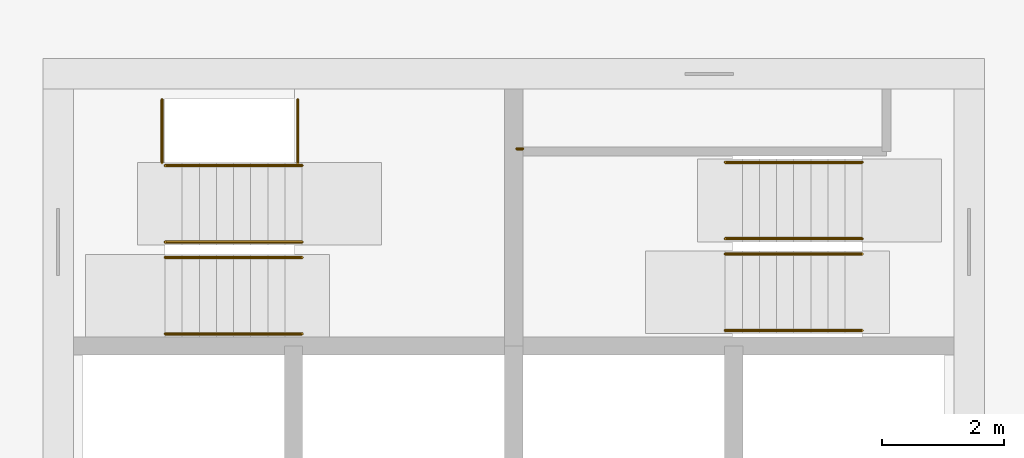
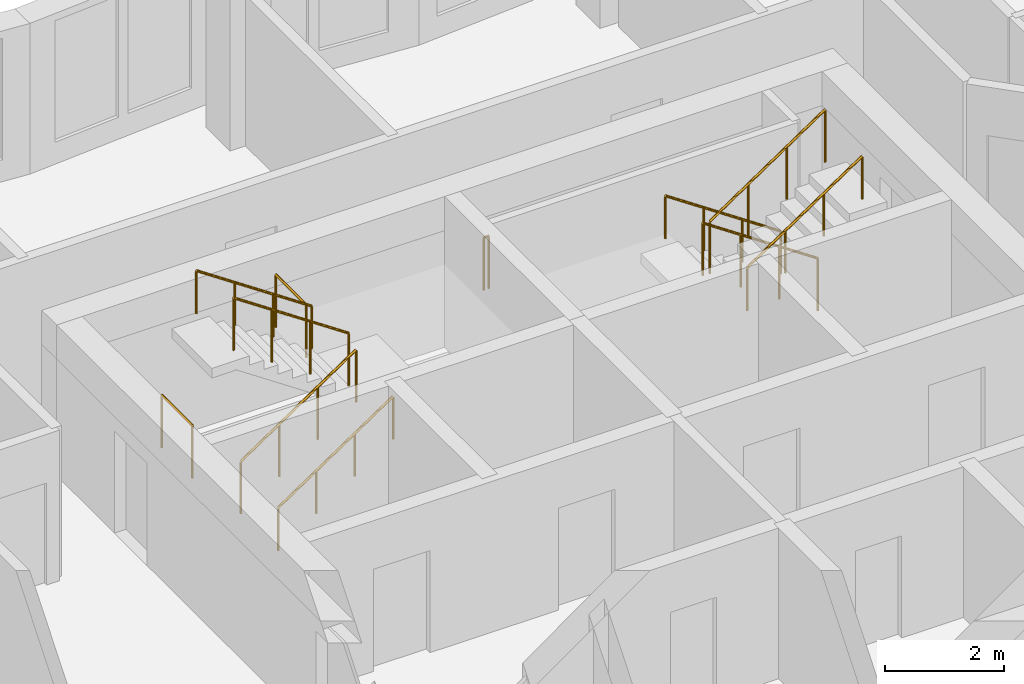
# One storey, part 10 of 11: 11 railings.
"""IFC4 building model written with IfcOpenShell, lengths in metres."""

from ifc_helpers import new_model, si_unit, direction, frame, origin, origin_2d, place, context, subcontext, project, spatial, circle, extrude, material, type_object, element, save


model = new_model("IFC4")

# Units and contexts
model_context = context("Model", 3, precision=1e-05, world=origin(), true_north=direction((0.0, 1.0)))
body_context = subcontext(model_context, "Body", "Model", "MODEL_VIEW")
ifc_project = project(units=[si_unit("LENGTHUNIT", "METRE"), si_unit("AREAUNIT", "SQUARE_METRE"), si_unit("VOLUMEUNIT", "CUBIC_METRE"), si_unit("PLANEANGLEUNIT", "RADIAN"), si_unit("MASSUNIT", "GRAM", prefix="KILO")], contexts=[model_context])

# Site, building, storey
site_placement = place(None, origin())
site = spatial("IfcSite", under=ifc_project, at=site_placement, CompositionType="ELEMENT")
building_placement = place(site_placement, origin())
building = spatial("IfcBuilding", under=site, at=building_placement, Name="Windrow Commons", CompositionType="ELEMENT")
storey_placement = place(building_placement, frame((0.0, 0.0, 189.6)))
storey = spatial("IfcBuildingStorey", under=building, at=storey_placement, Name="L51", CompositionType="ELEMENT", Elevation=189.6)

# Railings
ifc_material_1 = material(Name="Steel S355", Category="steel")
railing_type_1 = type_object("IfcRailingType", Name="Core stair guard 1100", PredefinedType="GUARDRAIL", material=ifc_material_1)
railing_1_placement = place(storey_placement, frame((59.1, 62.05, 0.1889)))
element("IfcRailing", 1, at=railing_1_placement, inside=storey, type_object=railing_type_1, Name="L51 ST-A1 stair guard 1", PredefinedType="GUARDRAIL", context=body_context, shape_type="SweptSolid", body=[
    extrude(circle(Radius=0.024, at=origin_2d()), frame((0.0, 0.0, 1.076), z_axis=(0.8290030985, 0.0, 0.5592440099), x_axis=(0.0, 1.0, 0.0)), (0.0, 0.0, 1.0), 2.702),
    extrude(circle(Radius=0.021, at=origin_2d()), origin(), (0.0, 0.0, 1.0), 1.052),
    extrude(circle(Radius=0.021, at=origin_2d()), frame((0.7467, 0.0, 0.5037)), (0.0, 0.0, 1.0), 1.052),
    extrude(circle(Radius=0.021, at=origin_2d()), frame((1.4933, 0.0, 1.0074)), (0.0, 0.0, 1.0), 1.052),
    extrude(circle(Radius=0.021, at=origin_2d()), frame((2.24, 0.0, 1.5111)), (0.0, 0.0, 1.0), 1.052),
])
railing_2_placement = place(storey_placement, frame((61.34, 62.3, 1.8889)))
element("IfcRailing", 2, at=railing_2_placement, inside=storey, type_object=railing_type_1, Name="L51 ST-A1 stair guard 2", PredefinedType="GUARDRAIL", context=body_context, shape_type="SweptSolid", body=[
    extrude(circle(Radius=0.024, at=origin_2d()), frame((0.0, 0.0, 1.076), z_axis=(-0.8290030985, 0.0, 0.5592440099), x_axis=(0.0, -1.0, 0.0)), (0.0, 0.0, 1.0), 2.702),
    extrude(circle(Radius=0.021, at=origin_2d()), origin(), (0.0, 0.0, 1.0), 1.052),
    extrude(circle(Radius=0.021, at=origin_2d()), frame((-0.7467, 0.0, 0.5037)), (0.0, 0.0, 1.0), 1.052),
    extrude(circle(Radius=0.021, at=origin_2d()), frame((-1.4933, 0.0, 1.0074)), (0.0, 0.0, 1.0), 1.052),
    extrude(circle(Radius=0.021, at=origin_2d()), frame((-2.24, 0.0, 1.5111)), (0.0, 0.0, 1.0), 1.052),
])
for number, where, name in (
    (3, (59.05, 63.6, 0.0), "L51 ST-A1 stair guard 3"),
    (4, (61.27, 63.6, 1.7), "L51 ST-A1 stair guard 4"),
):
    element("IfcRailing", number, at=place(storey_placement, frame(where)), inside=storey, type_object=railing_type_1, Name=name, PredefinedType="GUARDRAIL", context=body_context, shape_type="SweptSolid", body=[
        extrude(circle(Radius=0.024, at=origin_2d()), frame((0.0, 0.0, 1.076), z_axis=(0.0, 1.0, 0.0), x_axis=(-1.0, 0.0, 0.0)), (0.0, 0.0, 1.0), 1.03),
        extrude(circle(Radius=0.021, at=origin_2d()), origin(), (0.0, 0.0, 1.0), 1.052),
        extrude(circle(Radius=0.021, at=origin_2d()), frame((0.0, 1.03, 0.0)), (0.0, 0.0, 1.0), 1.052),
    ])
railing_3_placement = place(storey_placement, frame((70.5, 62.355, 0.1889)))
element("IfcRailing", 5, at=railing_3_placement, inside=storey, type_object=railing_type_1, Name="L51 ST-A2 stair guard 1", PredefinedType="GUARDRAIL", context=body_context, shape_type="SweptSolid", body=[
    extrude(circle(Radius=0.024, at=origin_2d()), frame((0.0, 0.0, 1.076), z_axis=(-0.8290030985, 0.0, 0.5592440099), x_axis=(0.0, -1.0, 0.0)), (0.0, 0.0, 1.0), 2.702),
    extrude(circle(Radius=0.021, at=origin_2d()), origin(), (0.0, 0.0, 1.0), 1.052),
    extrude(circle(Radius=0.021, at=origin_2d()), frame((-0.7467, 0.0, 0.5037)), (0.0, 0.0, 1.0), 1.052),
    extrude(circle(Radius=0.021, at=origin_2d()), frame((-1.4933, 0.0, 1.0074)), (0.0, 0.0, 1.0), 1.052),
    extrude(circle(Radius=0.021, at=origin_2d()), frame((-2.24, 0.0, 1.5111)), (0.0, 0.0, 1.0), 1.052),
])
railing_4_placement = place(storey_placement, frame((68.26, 62.105, 1.8889)))
element("IfcRailing", 6, at=railing_4_placement, inside=storey, type_object=railing_type_1, Name="L51 ST-A2 stair guard 2", PredefinedType="GUARDRAIL", context=body_context, shape_type="SweptSolid", body=[
    extrude(circle(Radius=0.024, at=origin_2d()), frame((0.0, 0.0, 1.076), z_axis=(0.8290030985, 0.0, 0.5592440099), x_axis=(0.0, 1.0, 0.0)), (0.0, 0.0, 1.0), 2.702),
    extrude(circle(Radius=0.021, at=origin_2d()), origin(), (0.0, 0.0, 1.0), 1.052),
    extrude(circle(Radius=0.021, at=origin_2d()), frame((0.7467, 0.0, 0.5037)), (0.0, 0.0, 1.0), 1.052),
    extrude(circle(Radius=0.021, at=origin_2d()), frame((1.4933, 0.0, 1.0074)), (0.0, 0.0, 1.0), 1.052),
    extrude(circle(Radius=0.021, at=origin_2d()), frame((2.24, 0.0, 1.5111)), (0.0, 0.0, 1.0), 1.052),
])
railing_5_placement = place(storey_placement, frame((64.95, 63.825, 1.7)))
element("IfcRailing", 7, at=railing_5_placement, inside=storey, type_object=railing_type_1, Name="L51 ST-A2 stair guard 3", PredefinedType="GUARDRAIL", context=body_context, shape_type="SweptSolid", body=[
    extrude(circle(Radius=0.024, at=origin_2d()), frame((0.0, 0.0, 1.076), z_axis=(-1.0, 0.0, 0.0), x_axis=(0.0, -1.0, 0.0)), (0.0, 0.0, 1.0), 0.1),
    extrude(circle(Radius=0.021, at=origin_2d()), origin(), (0.0, 0.0, 1.0), 1.052),
    extrude(circle(Radius=0.021, at=origin_2d()), frame((-0.1, 0.0, 0.0)), (0.0, 0.0, 1.0), 1.052),
])
ifc_material_2 = material(Name="Steel S355", Category="steel")
railing_type_2 = type_object("IfcRailingType", Name="Core stair handrail 900", PredefinedType="HANDRAIL", material=ifc_material_2)
railing_6_placement = place(storey_placement, frame((59.1, 60.8, 0.1889)))
element("IfcRailing", 8, at=railing_6_placement, inside=storey, type_object=railing_type_2, Name="L51 ST-A1 stair handrail 1", PredefinedType="HANDRAIL", context=body_context, shape_type="SweptSolid", body=[
    extrude(circle(Radius=0.024, at=origin_2d()), frame((0.0, 0.0, 0.876), z_axis=(0.8290030985, 0.0, 0.5592440099), x_axis=(0.0, 1.0, 0.0)), (0.0, 0.0, 1.0), 2.702),
    extrude(circle(Radius=0.021, at=origin_2d()), origin(), (0.0, 0.0, 1.0), 0.852),
    extrude(circle(Radius=0.021, at=origin_2d()), frame((0.7467, 0.0, 0.5037)), (0.0, 0.0, 1.0), 0.852),
    extrude(circle(Radius=0.021, at=origin_2d()), frame((1.4933, 0.0, 1.0074)), (0.0, 0.0, 1.0), 0.852),
    extrude(circle(Radius=0.021, at=origin_2d()), frame((2.24, 0.0, 1.5111)), (0.0, 0.0, 1.0), 0.852),
])
for number, where, name in (
    (9, (61.34, 63.55, 1.8889), "L51 ST-A1 stair handrail 2"),
    (10, (70.5, 63.605, 0.1889), "L51 ST-A2 stair handrail 1"),
):
    element("IfcRailing", number, at=place(storey_placement, frame(where)), inside=storey, type_object=railing_type_2, Name=name, PredefinedType="HANDRAIL", context=body_context, shape_type="SweptSolid", body=[
        extrude(circle(Radius=0.024, at=origin_2d()), frame((0.0, 0.0, 0.876), z_axis=(-0.8290030985, 0.0, 0.5592440099), x_axis=(0.0, -1.0, 0.0)), (0.0, 0.0, 1.0), 2.702),
        extrude(circle(Radius=0.021, at=origin_2d()), origin(), (0.0, 0.0, 1.0), 0.852),
        extrude(circle(Radius=0.021, at=origin_2d()), frame((-0.7467, 0.0, 0.5037)), (0.0, 0.0, 1.0), 0.852),
        extrude(circle(Radius=0.021, at=origin_2d()), frame((-1.4933, 0.0, 1.0074)), (0.0, 0.0, 1.0), 0.852),
        extrude(circle(Radius=0.021, at=origin_2d()), frame((-2.24, 0.0, 1.5111)), (0.0, 0.0, 1.0), 0.852),
    ])
railing_7_placement = place(storey_placement, frame((68.26, 60.855, 1.8889)))
element("IfcRailing", 11, at=railing_7_placement, inside=storey, type_object=railing_type_2, Name="L51 ST-A2 stair handrail 2", PredefinedType="HANDRAIL", context=body_context, shape_type="SweptSolid", body=[
    extrude(circle(Radius=0.024, at=origin_2d()), frame((0.0, 0.0, 0.876), z_axis=(0.8290030985, 0.0, 0.5592440099), x_axis=(0.0, 1.0, 0.0)), (0.0, 0.0, 1.0), 2.702),
    extrude(circle(Radius=0.021, at=origin_2d()), origin(), (0.0, 0.0, 1.0), 0.852),
    extrude(circle(Radius=0.021, at=origin_2d()), frame((0.7467, 0.0, 0.5037)), (0.0, 0.0, 1.0), 0.852),
    extrude(circle(Radius=0.021, at=origin_2d()), frame((1.4933, 0.0, 1.0074)), (0.0, 0.0, 1.0), 0.852),
    extrude(circle(Radius=0.021, at=origin_2d()), frame((2.24, 0.0, 1.5111)), (0.0, 0.0, 1.0), 0.852),
])

save(model, "model.ifc")
